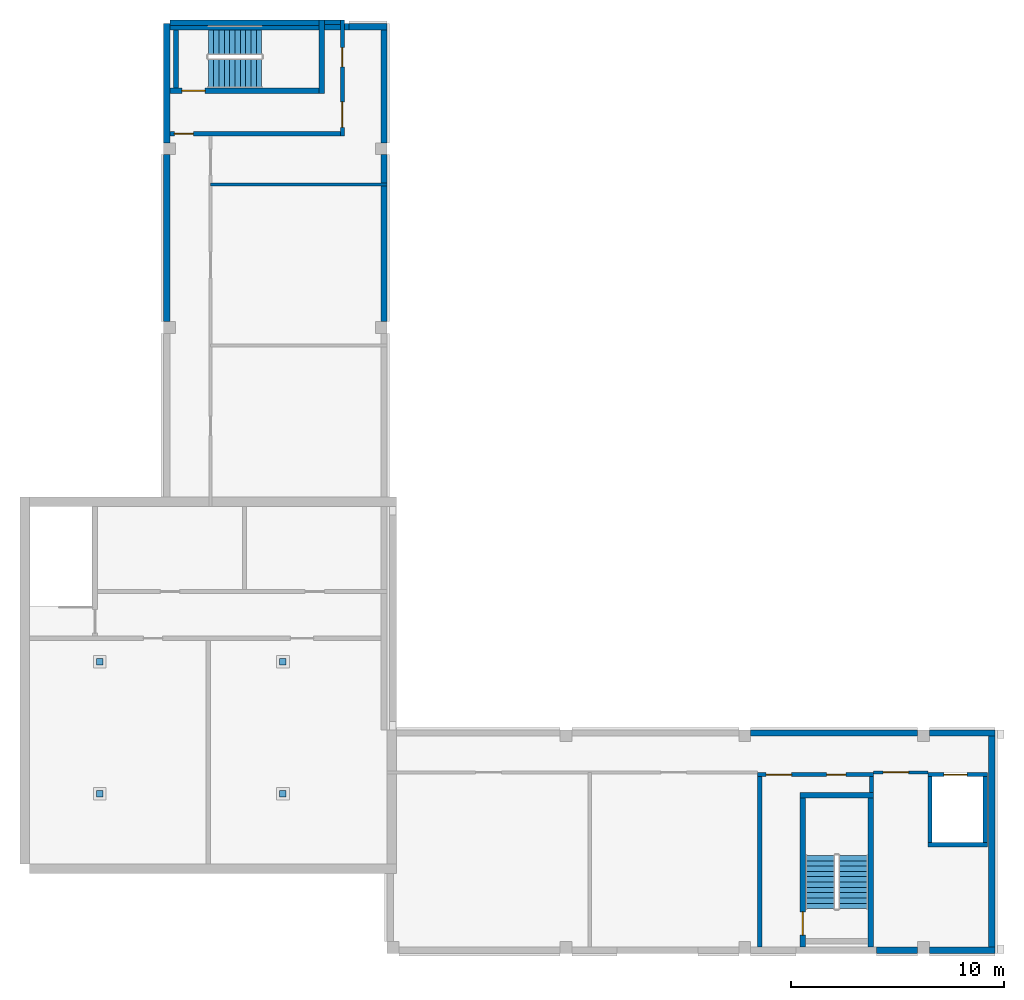
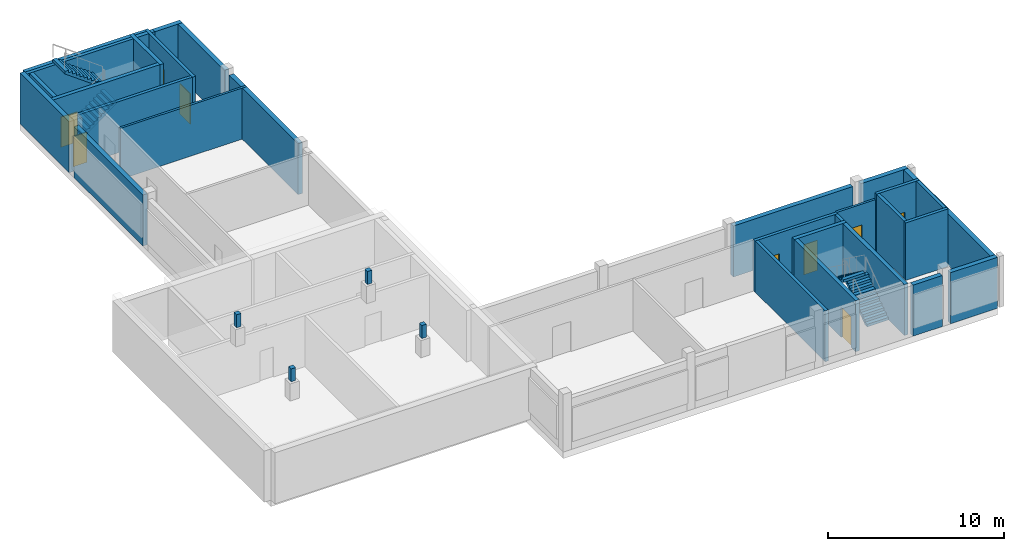
# One storey, part 2 of 5: 34 walls, 9 doors, 4 stair flights, 9 openings, 2 elements without a shape of their own.
"""IFC4 building model written with IfcOpenShell, lengths in metres."""

from ifc_helpers import new_model, si_unit, direction, frame, frame_2d, origin, origin_2d, place, context, subcontext, project, spatial, polyline, rectangle, outline, extrude, source, transform, mapped, material, layer, layer_set, type_object, element, fill, aggregate, save


model = new_model("IFC4")

# Units and contexts
model_context = context("Model", 3, precision=1e-05, world=origin(), true_north=direction((0.0, 1.0)))
body_context = subcontext(model_context, "Body", "Model", "MODEL_VIEW")
ifc_project = project(units=[si_unit("LENGTHUNIT", "METRE"), si_unit("AREAUNIT", "SQUARE_METRE"), si_unit("VOLUMEUNIT", "CUBIC_METRE"), si_unit("PLANEANGLEUNIT", "RADIAN"), si_unit("MASSUNIT", "GRAM", prefix="KILO")], contexts=[model_context])

# Site, building, storey
site_placement = place(None, origin())
site = spatial("IfcSite", under=ifc_project, at=site_placement, CompositionType="ELEMENT")
building_placement = place(site_placement, origin())
building = spatial("IfcBuilding", under=site, at=building_placement, Name="Aurelian Terraces", CompositionType="ELEMENT")
storey_placement = place(building_placement, frame((0.0, 0.0, 372.5)))
storey = spatial("IfcBuildingStorey", under=building, at=storey_placement, Name="L89", CompositionType="ELEMENT", Elevation=372.5)

# Walls
ifc_material_1 = material(Name="Concrete fc' 55 MPa", Category="concrete")
ifc_layer_1 = layer(ifc_material_1, 0.3)
ifc_layer_set_1 = layer_set([ifc_layer_1], Name="CROWN FINIAL 300 FC55")
wall_type_1 = type_object("IfcWallType", Name="CROWN FINIAL 300 FC55", PredefinedType="SOLIDWALL", material=ifc_layer_set_1)
wall_1_placement = place(storey_placement, frame((7.5, 7.5, 5.2), z_axis=(0.0, 0.0, 1.0), x_axis=(1.0, 0.0, 0.0)))
element("IfcWall", 1, at=wall_1_placement, inside=storey, type_object=wall_type_1, Name="Crown pier cap block", PredefinedType="SOLIDWALL", context=body_context, shape_type="SweptSolid", body=[
    extrude(rectangle(XDim=0.3, YDim=0.3, at=origin_2d()), origin(), (0.0, 0.0, 1.0), 0.9),
])
ifc_material_2 = material(Name="Terracotta rainscreen cladding", Category="masonry")
ifc_layer_2 = layer(ifc_material_2, 0.3)
ifc_layer_set_2 = layer_set([ifc_layer_2], Name="EW-300")
wall_type_2 = type_object("IfcWallType", Name="EW-300", PredefinedType="STANDARD", material=ifc_layer_set_2)
wall_2_placement = place(storey_placement, frame((46.475, 0.15, 0.0), z_axis=(0.0, 0.0, 1.0), x_axis=(1.0, 0.0, 0.0)))
element("IfcWall", 2, at=wall_2_placement, inside=storey, type_object=wall_type_2, Name="External wall L89 F01.8", PredefinedType="STANDARD", context=body_context, shape_type="SweptSolid", body=[
    extrude(rectangle(XDim=3.085, YDim=0.3, at=frame_2d((1.5425, 0.0))), origin(), (0.0, 0.0, 1.0), 3.55),
])
wall_3_placement = place(storey_placement, frame((49.41, 0.0, 0.0), z_axis=(0.0, 0.0, 1.0), x_axis=(0.0, 1.0, 0.0)))
element("IfcWall", 3, at=wall_3_placement, inside=storey, type_object=wall_type_2, Name="External wall L89 F02.1", PredefinedType="STANDARD", context=body_context, shape_type="SweptSolid", body=[
    extrude(rectangle(XDim=10.5, YDim=0.3, at=frame_2d((5.25, 0.0))), origin(), (0.0, 0.0, 1.0), 3.55),
])
wall_4_placement = place(storey_placement, frame((45.925, 10.35, 0.0), z_axis=(0.0, 0.0, 1.0), x_axis=(-1.0, 0.0, 0.0)))
element("IfcWall", 4, at=wall_4_placement, inside=storey, type_object=wall_type_2, Name="External wall L89 F03.2", PredefinedType="STANDARD", context=body_context, shape_type="SweptSolid", body=[
    extrude(rectangle(XDim=7.85, YDim=0.3, at=frame_2d((3.925, 0.0))), origin(), (0.0, 0.0, 1.0), 3.55),
])
wall_5_placement = place(storey_placement, frame((20.85, 38.075, 0.0), z_axis=(0.0, 0.0, 1.0), x_axis=(0.0, 1.0, 0.0)))
element("IfcWall", 5, at=wall_5_placement, inside=storey, type_object=wall_type_2, Name="External wall L89 F04.4", PredefinedType="STANDARD", context=body_context, shape_type="SweptSolid", body=[
    extrude(rectangle(XDim=5.605, YDim=0.3, at=frame_2d((2.8025, 0.0))), origin(), (0.0, 0.0, 1.0), 3.55),
])
wall_6_placement = place(storey_placement, frame((21.0, 43.53, 0.0), z_axis=(0.0, 0.0, 1.0), x_axis=(-1.0, 0.0, 0.0)))
element("IfcWall", 6, at=wall_6_placement, inside=storey, type_object=wall_type_2, Name="External wall L89 F05.1", PredefinedType="STANDARD", context=body_context, shape_type="SweptSolid", body=[
    extrude(rectangle(XDim=1.8, YDim=0.3, at=frame_2d((0.9, 0.0))), origin(), (0.0, 0.0, 1.0), 3.55),
])
ifc_material_3 = material(Name="Concrete fc' 40 MPa", Category="concrete")
ifc_layer_3 = layer(ifc_material_3, 0.3)
ifc_layer_set_3 = layer_set([ifc_layer_3], Name="STAIR BAY WALL 300")
wall_type_3 = type_object("IfcWallType", Name="STAIR BAY WALL 300", PredefinedType="SOLIDWALL", material=ifc_layer_set_3)
wall_7_placement = place(storey_placement, frame((19.2, 43.53, 0.0), z_axis=(0.0, 0.0, 1.0), x_axis=(-1.0, 0.0, 0.0)))
element("IfcWall", 7, at=wall_7_placement, inside=storey, type_object=wall_type_3, Name="Stair bay wall L89 F05.2", PredefinedType="SOLIDWALL", context=body_context, shape_type="SweptSolid", body=[
    extrude(rectangle(XDim=8.6, YDim=0.3, at=frame_2d((4.3, 0.0))), origin(), (0.0, 0.0, 1.0), 3.55),
])
wall_8_placement = place(storey_placement, frame((10.65, 43.68, 0.0), z_axis=(0.0, 0.0, 1.0), x_axis=(0.0, -1.0, 0.0)))
element("IfcWall", 8, at=wall_8_placement, inside=storey, type_object=wall_type_3, Name="Stair bay wall L89 F06.1", PredefinedType="SOLIDWALL", context=body_context, shape_type="SweptSolid", body=[
    extrude(rectangle(XDim=5.605, YDim=0.3, at=frame_2d((2.8025, 0.0))), origin(), (0.0, 0.0, 1.0), 3.55),
])
shared_shape_1 = source(origin(), body_context, "Body", "SweptSolid", [
    extrude(rectangle(XDim=0.3, YDim=0.3, at=origin_2d()), origin(), (0.0, 0.0, 1.0), 0.9),
])
for number, where, z_axis, x_axis, name in (
    (9, (16.1, 7.5, 5.2), (0.0, 0.0, 1.0), (1.0, 0.0, 0.0), "Crown pier cap block"),
    (10, (7.5, 13.7, 5.2), (0.0, 0.0, 1.0), (1.0, 0.0, 0.0), "Crown pier cap block"),
    (11, (16.1, 13.7, 5.2), (0.0, 0.0, 1.0), (1.0, 0.0, 0.0), "Crown pier cap block"),
):
    element("IfcWall", number, at=place(storey_placement, frame(where, z_axis=z_axis, x_axis=x_axis)), inside=storey, type_object=wall_type_1, Name=name, PredefinedType="SOLIDWALL", context=body_context, shape_type="MappedRepresentation", body=[
        mapped(shared_shape_1, transform((0.0, 0.0, 0.0), scale=1.0)),
    ])
shared_shape_2 = source(origin(), body_context, "Body", "SweptSolid", [
    extrude(rectangle(XDim=1.925, YDim=0.3, at=frame_2d((0.9625, 0.0))), origin(), (0.0, 0.0, 1.0), 3.55),
])
wall_9_placement = place(storey_placement, frame((44.0, 0.15, 0.0), z_axis=(0.0, 0.0, 1.0), x_axis=(1.0, 0.0, 0.0)))
element("IfcWall", 12, at=wall_9_placement, inside=storey, type_object=wall_type_2, Name="External wall L89 F01.7", PredefinedType="STANDARD", context=body_context, shape_type="MappedRepresentation", body=[
    mapped(shared_shape_2, transform((0.0, 0.0, 0.0), scale=1.0)),
])
shared_shape_3 = source(origin(), body_context, "Body", "SweptSolid", [
    extrude(rectangle(XDim=3.085, YDim=0.3, at=frame_2d((1.5425, 0.0))), origin(), (0.0, 0.0, 1.0), 3.55),
])
wall_10_placement = place(storey_placement, frame((49.56, 10.35, 0.0), z_axis=(0.0, 0.0, 1.0), x_axis=(-1.0, 0.0, 0.0)))
element("IfcWall", 13, at=wall_10_placement, inside=storey, type_object=wall_type_2, Name="External wall L89 F03.1", PredefinedType="STANDARD", context=body_context, shape_type="MappedRepresentation", body=[
    mapped(shared_shape_3, transform((0.0, 0.0, 0.0), scale=1.0)),
])
shared_shape_4 = source(origin(), body_context, "Body", "SweptSolid", [
    extrude(rectangle(XDim=7.85, YDim=0.3, at=frame_2d((3.925, 0.0))), origin(), (0.0, 0.0, 1.0), 3.55),
])
for number, where, z_axis, x_axis, name in (
    (14, (20.85, 29.675, 0.0), (0.0, 0.0, 1.0), (0.0, 1.0, 0.0), "External wall L89 F04.3"),
    (15, (10.65, 37.525, 0.0), (0.0, 0.0, 1.0), (0.0, -1.0, 0.0), "External wall L89 F06.2"),
):
    element("IfcWall", number, at=place(storey_placement, frame(where, z_axis=z_axis, x_axis=x_axis)), inside=storey, type_object=wall_type_2, Name=name, PredefinedType="STANDARD", context=body_context, shape_type="MappedRepresentation", body=[
        mapped(shared_shape_4, transform((0.0, 0.0, 0.0), scale=1.0)),
    ])
ifc_layer_4 = layer(ifc_material_3, 0.2)
ifc_layer_set_4 = layer_set([ifc_layer_4], Name="Lift shaft wall 200")
wall_type_4 = type_object("IfcWallType", Name="Lift shaft wall 200", PredefinedType="SOLIDWALL", material=ifc_layer_set_4)
shared_shape_5 = source(origin(), body_context, "Body", "SweptSolid", [
    extrude(rectangle(XDim=2.8, YDim=0.2, at=frame_2d((1.4, 0.0))), origin(), (0.0, 0.0, 1.0), 4.0),
])
wall_11_placement = place(storey_placement, frame((46.4, 5.1, 0.0), z_axis=(0.0, 0.0, 1.0), x_axis=(1.0, 0.0, 0.0)))
element("IfcWall", 16, at=wall_11_placement, inside=storey, type_object=wall_type_4, Name="L89 core wall SV-F", PredefinedType="SOLIDWALL", context=body_context, shape_type="MappedRepresentation", body=[
    mapped(shared_shape_5, transform((0.0, 0.0, 0.0), scale=1.0)),
])

# Wall, opening, door
wall_12_placement = place(storey_placement, frame((46.4, 8.4, 0.0), z_axis=(0.0, 0.0, 1.0), x_axis=(1.0, 0.0, 0.0)))
wall_12 = element("IfcWall", 17, at=wall_12_placement, inside=storey, type_object=wall_type_4, Name="L89 core wall SV-N", PredefinedType="SOLIDWALL", context=body_context, shape_type="MappedRepresentation", body=[
    mapped(shared_shape_5, transform((0.0, 0.0, 0.0), scale=1.0)),
])
shared_shape_6 = source(origin(), body_context, "Body", "SweptSolid", [
    extrude(rectangle(XDim=1.1, YDim=2.1, at=frame_2d((0.55, 1.05))), frame((0.0, 0.11, 0.0), z_axis=(0.0, -1.0, 0.0), x_axis=(1.0, 0.0, 0.0)), (0.0, 0.0, 1.0), 0.22),
])
opening_1_placement = place(wall_12_placement, frame((0.75, 0.0, 0.0)))
opening_1 = element("IfcOpeningElement", 18, at=opening_1_placement, cuts=wall_12, Name="Opening 69200", PredefinedType="OPENING", context=body_context, shape_type="MappedRepresentation", body=[
    mapped(shared_shape_6, transform((0.0, 0.0, 0.0), scale=1.0)),
])
ifc_material_4 = material(Name="Stainless steel", Category="steel")
door_type_1 = type_object("IfcDoorType", Name="Lift landing door 1100x2100", OperationType="SLIDING_TO_LEFT", PredefinedType="DOOR", material=ifc_material_4)
shared_shape_7 = source(origin(), body_context, "Body", "SweptSolid", [
    extrude(rectangle(XDim=1.1, YDim=2.1, at=frame_2d((0.55, 1.05))), frame((0.0, 0.025, 0.0), z_axis=(0.0, -1.0, 0.0), x_axis=(1.0, 0.0, 0.0)), (0.0, 0.0, 1.0), 0.05),
])
door_1_placement = place(opening_1_placement, origin())
door_1 = element("IfcDoor", 19, at=door_1_placement, inside=storey, type_object=door_type_1, Name="Lift landing door SV1 L89", OperationType="SLIDING_TO_LEFT", OverallHeight=2.1, OverallWidth=1.1, PredefinedType="DOOR", context=body_context, shape_type="MappedRepresentation", body=[
    mapped(shared_shape_7, transform((0.0, 0.0, 0.0), scale=1.0)),
])
fill(opening_1, door_1)

# Walls
shared_shape_8 = source(origin(), body_context, "Body", "SweptSolid", [
    extrude(rectangle(XDim=3.1, YDim=0.2, at=frame_2d((1.55, 0.0))), origin(), (0.0, 0.0, 1.0), 4.0),
])
for number, where, z_axis, x_axis, name in (
    (20, (46.5, 5.2, 0.0), (0.0, 0.0, 1.0), (0.0, 1.0, 0.0), "L89 core wall SV-W"),
    (21, (49.1, 5.2, 0.0), (0.0, 0.0, 1.0), (0.0, 1.0, 0.0), "L89 core wall SV-E"),
):
    element("IfcWall", number, at=place(storey_placement, frame(where, z_axis=z_axis, x_axis=x_axis)), inside=storey, type_object=wall_type_4, Name=name, PredefinedType="SOLIDWALL", context=body_context, shape_type="MappedRepresentation", body=[
        mapped(shared_shape_8, transform((0.0, 0.0, 0.0), scale=1.0)),
    ])

# Wall, opening, door
ifc_layer_5 = layer(ifc_material_3, 0.25)
ifc_layer_set_5 = layer_set([ifc_layer_5], Name="Stair enclosure wall 250")
wall_type_5 = type_object("IfcWallType", Name="Stair enclosure wall 250", PredefinedType="SOLIDWALL", material=ifc_layer_set_5)
shared_shape_9 = source(origin(), body_context, "Body", "SweptSolid", [
    extrude(rectangle(XDim=7.0, YDim=0.25, at=frame_2d((3.5, 0.0))), origin(), (0.0, 0.0, 1.0), 3.55),
])
wall_13_placement = place(storey_placement, frame((40.525, 0.3, 0.0), z_axis=(0.0, 0.0, 1.0), x_axis=(0.0, 1.0, 0.0)))
wall_13 = element("IfcWall", 22, at=wall_13_placement, inside=storey, type_object=wall_type_5, Name="L89 core wall ST-S2-W", PredefinedType="SOLIDWALL", context=body_context, shape_type="MappedRepresentation", body=[
    mapped(shared_shape_9, transform((0.0, 0.0, 0.0), scale=1.0)),
])
shared_shape_10 = source(origin(), body_context, "Body", "SweptSolid", [
    extrude(rectangle(XDim=1.1, YDim=2.1, at=frame_2d((0.55, 1.05))), frame((0.0, 0.135, 0.0), z_axis=(0.0, -1.0, 0.0), x_axis=(1.0, 0.0, 0.0)), (0.0, 0.0, 1.0), 0.27),
])
opening_2_placement = place(wall_13_placement, frame((0.55, 0.0, 0.0)))
opening_2 = element("IfcOpeningElement", 23, at=opening_2_placement, cuts=wall_13, Name="Opening 69201", PredefinedType="OPENING", context=body_context, shape_type="MappedRepresentation", body=[
    mapped(shared_shape_10, transform((0.0, 0.0, 0.0), scale=1.0)),
])
ifc_material_5 = material(Name="Steel door leaf", Category="steel")
door_type_2 = type_object("IfcDoorType", Name="Core fire door 1100x2100 right", OperationType="SINGLE_SWING_RIGHT", PredefinedType="DOOR", material=ifc_material_5)
door_2_placement = place(opening_2_placement, origin())
door_2 = element("IfcDoor", 24, at=door_2_placement, inside=storey, type_object=door_type_2, Name="Stair door 69201", OperationType="SINGLE_SWING_RIGHT", OverallHeight=2.1, OverallWidth=1.1, PredefinedType="DOOR", context=body_context, shape_type="MappedRepresentation", body=[
    mapped(shared_shape_7, transform((0.0, 0.0, 0.0), scale=1.0)),
])
fill(opening_2, door_2)

# Wall
wall_14_placement = place(storey_placement, frame((43.725, 0.3, 0.0), z_axis=(0.0, 0.0, 1.0), x_axis=(0.0, 1.0, 0.0)))
element("IfcWall", 25, at=wall_14_placement, inside=storey, type_object=wall_type_5, Name="L89 core wall ST-S2-E", PredefinedType="SOLIDWALL", context=body_context, shape_type="MappedRepresentation", body=[
    mapped(shared_shape_9, transform((0.0, 0.0, 0.0), scale=1.0)),
])

# Wall, opening, door
wall_15_placement = place(storey_placement, frame((10.8, 40.525, 0.0), z_axis=(0.0, 0.0, 1.0), x_axis=(1.0, 0.0, 0.0)))
wall_15 = element("IfcWall", 26, at=wall_15_placement, inside=storey, type_object=wall_type_5, Name="L89 core wall ST-S3U-W", PredefinedType="SOLIDWALL", context=body_context, shape_type="MappedRepresentation", body=[
    mapped(shared_shape_9, transform((0.0, 0.0, 0.0), scale=1.0)),
])
opening_3_placement = place(wall_15_placement, frame((0.55, 0.0, 0.0)))
opening_3 = element("IfcOpeningElement", 27, at=opening_3_placement, cuts=wall_15, Name="Opening 69204", PredefinedType="OPENING", context=body_context, shape_type="MappedRepresentation", body=[
    mapped(shared_shape_10, transform((0.0, 0.0, 0.0), scale=1.0)),
])
door_type_3 = type_object("IfcDoorType", Name="Core fire door 1100x2100", OperationType="SINGLE_SWING_LEFT", PredefinedType="DOOR", material=ifc_material_5)
door_3_placement = place(opening_3_placement, origin())
door_3 = element("IfcDoor", 28, at=door_3_placement, inside=storey, type_object=door_type_3, Name="Stair door 69204", OperationType="SINGLE_SWING_LEFT", OverallHeight=2.1, OverallWidth=1.1, PredefinedType="DOOR", context=body_context, shape_type="MappedRepresentation", body=[
    mapped(shared_shape_7, transform((0.0, 0.0, 0.0), scale=1.0)),
])
fill(opening_3, door_3)

# Walls
wall_16_placement = place(storey_placement, frame((10.8, 43.725, 0.0), z_axis=(0.0, 0.0, 1.0), x_axis=(1.0, 0.0, 0.0)))
element("IfcWall", 29, at=wall_16_placement, inside=storey, type_object=wall_type_5, Name="L89 core wall ST-S3U-E", PredefinedType="SOLIDWALL", context=body_context, shape_type="MappedRepresentation", body=[
    mapped(shared_shape_9, transform((0.0, 0.0, 0.0), scale=1.0)),
])
shared_shape_11 = source(origin(), body_context, "Body", "SweptSolid", [
    extrude(rectangle(XDim=3.45, YDim=0.25, at=frame_2d((1.725, 0.0))), origin(), (0.0, 0.0, 1.0), 3.55),
])
for number, where, z_axis, x_axis, name in (
    (30, (40.4, 7.425, 0.0), (0.0, 0.0, 1.0), (1.0, 0.0, 0.0), "L89 core wall ST-S2-N"),
    (31, (17.925, 40.4, 0.0), (0.0, 0.0, 1.0), (0.0, 1.0, 0.0), "L89 core wall ST-S3U-N"),
):
    element("IfcWall", number, at=place(storey_placement, frame(where, z_axis=z_axis, x_axis=x_axis)), inside=storey, type_object=wall_type_5, Name=name, PredefinedType="SOLIDWALL", context=body_context, shape_type="MappedRepresentation", body=[
        mapped(shared_shape_11, transform((0.0, 0.0, 0.0), scale=1.0)),
    ])
ifc_material_6 = material(Name="Gypsum board on steel studs", Category="steel")
ifc_layer_6 = layer(ifc_material_6, 0.2)
ifc_layer_set_6 = layer_set([ifc_layer_6], Name="Core partition 200")
wall_type_6 = type_object("IfcWallType", Name="Core partition 200", PredefinedType="PARTITIONING", material=ifc_layer_set_6)
shared_shape_12 = source(origin(), body_context, "Body", "SweptSolid", [
    extrude(rectangle(XDim=8.0, YDim=0.2, at=frame_2d((4.0, 0.0))), origin(), (0.0, 0.0, 1.0), 3.55),
])
wall_17_placement = place(storey_placement, frame((38.5, 0.3, 0.0), z_axis=(0.0, 0.0, 1.0), x_axis=(0.0, 1.0, 0.0)))
element("IfcWall", 32, at=wall_17_placement, inside=storey, type_object=wall_type_6, Name="L89 core wall ST-S2-VW", PredefinedType="PARTITIONING", context=body_context, shape_type="MappedRepresentation", body=[
    mapped(shared_shape_12, transform((0.0, 0.0, 0.0), scale=1.0)),
])

# Wall, opening, door
wall_18_placement = place(storey_placement, frame((10.8, 38.5, 0.0), z_axis=(0.0, 0.0, 1.0), x_axis=(1.0, 0.0, 0.0)))
wall_18 = element("IfcWall", 33, at=wall_18_placement, inside=storey, type_object=wall_type_6, Name="L89 core wall ST-S3U-VW", PredefinedType="PARTITIONING", context=body_context, shape_type="MappedRepresentation", body=[
    mapped(shared_shape_12, transform((0.0, 0.0, 0.0), scale=1.0)),
])
shared_shape_13 = source(origin(), body_context, "Body", "SweptSolid", [
    extrude(rectangle(XDim=0.9, YDim=2.1, at=frame_2d((0.45, 1.05))), frame((0.0, 0.11, 0.0), z_axis=(0.0, -1.0, 0.0), x_axis=(1.0, 0.0, 0.0)), (0.0, 0.0, 1.0), 0.22),
])
opening_4_placement = place(wall_18_placement, frame((0.2, 0.0, 0.0)))
opening_4 = element("IfcOpeningElement", 34, at=opening_4_placement, cuts=wall_18, Name="Opening 69205", PredefinedType="OPENING", context=body_context, shape_type="MappedRepresentation", body=[
    mapped(shared_shape_13, transform((0.0, 0.0, 0.0), scale=1.0)),
])
door_type_4 = type_object("IfcDoorType", Name="Core service door 900x2100 right", OperationType="SINGLE_SWING_RIGHT", PredefinedType="DOOR", material=ifc_material_5)
shared_shape_14 = source(origin(), body_context, "Body", "SweptSolid", [
    extrude(rectangle(XDim=0.9, YDim=2.1, at=frame_2d((0.45, 1.05))), frame((0.0, 0.025, 0.0), z_axis=(0.0, -1.0, 0.0), x_axis=(1.0, 0.0, 0.0)), (0.0, 0.0, 1.0), 0.05),
])
door_4_placement = place(opening_4_placement, origin())
door_4 = element("IfcDoor", 35, at=door_4_placement, inside=storey, type_object=door_type_4, Name="Vestibule door 69205", OperationType="SINGLE_SWING_RIGHT", OverallHeight=2.1, OverallWidth=0.9, PredefinedType="DOOR", context=body_context, shape_type="MappedRepresentation", body=[
    mapped(shared_shape_14, transform((0.0, 0.0, 0.0), scale=1.0)),
])
fill(opening_4, door_4)

# Wall, openings, doors
shared_shape_15 = source(origin(), body_context, "Body", "SweptSolid", [
    extrude(rectangle(XDim=5.45, YDim=0.2, at=frame_2d((2.725, 0.0))), origin(), (0.0, 0.0, 1.0), 3.55),
])
wall_19_placement = place(storey_placement, frame((38.4, 8.4, 0.0), z_axis=(0.0, 0.0, 1.0), x_axis=(1.0, 0.0, 0.0)))
wall_19 = element("IfcWall", 36, at=wall_19_placement, inside=storey, type_object=wall_type_6, Name="L89 core wall ST-S2-BN", PredefinedType="PARTITIONING", context=body_context, shape_type="MappedRepresentation", body=[
    mapped(shared_shape_15, transform((0.0, 0.0, 0.0), scale=1.0)),
])
shared_shape_16 = source(origin(), body_context, "Body", "SweptSolid", [
    extrude(rectangle(XDim=1.2, YDim=2.1, at=frame_2d((0.6, 1.05))), frame((0.0, 0.11, 0.0), z_axis=(0.0, -1.0, 0.0), x_axis=(1.0, 0.0, 0.0)), (0.0, 0.0, 1.0), 0.22),
])
opening_5_placement = place(wall_19_placement, frame((0.4, 0.0, 0.0)))
opening_5 = element("IfcOpeningElement", 37, at=opening_5_placement, cuts=wall_19, Name="Opening 69202", PredefinedType="OPENING", context=body_context, shape_type="MappedRepresentation", body=[
    mapped(shared_shape_16, transform((0.0, 0.0, 0.0), scale=1.0)),
])
opening_6_placement = place(wall_19_placement, frame((3.25, 0.0, 0.0)))
opening_6 = element("IfcOpeningElement", 38, at=opening_6_placement, cuts=wall_19, Name="Opening 69203", PredefinedType="OPENING", context=body_context, shape_type="MappedRepresentation", body=[
    mapped(shared_shape_13, transform((0.0, 0.0, 0.0), scale=1.0)),
])
door_type_5 = type_object("IfcDoorType", Name="Core riser door 900x2100 right", OperationType="SINGLE_SWING_RIGHT", PredefinedType="DOOR", material=ifc_material_5)
door_5_placement = place(opening_6_placement, origin())
door_5 = element("IfcDoor", 39, at=door_5_placement, inside=storey, type_object=door_type_5, Name="Riser door 69203", OperationType="SINGLE_SWING_RIGHT", OverallHeight=2.1, OverallWidth=0.9, PredefinedType="DOOR", context=body_context, shape_type="MappedRepresentation", body=[
    mapped(shared_shape_14, transform((0.0, 0.0, 0.0), scale=1.0)),
])
fill(opening_6, door_5)
door_type_6 = type_object("IfcDoorType", Name="Core fire door 1200x2100", OperationType="SINGLE_SWING_LEFT", PredefinedType="DOOR", material=ifc_material_5)
shared_shape_17 = source(origin(), body_context, "Body", "SweptSolid", [
    extrude(rectangle(XDim=1.2, YDim=2.1, at=frame_2d((0.6, 1.05))), frame((0.0, 0.025, 0.0), z_axis=(0.0, -1.0, 0.0), x_axis=(1.0, 0.0, 0.0)), (0.0, 0.0, 1.0), 0.05),
])
door_6_placement = place(opening_5_placement, origin())
door_6 = element("IfcDoor", 40, at=door_6_placement, inside=storey, type_object=door_type_6, Name="Vestibule door 69202", OperationType="SINGLE_SWING_LEFT", OverallHeight=2.1, OverallWidth=1.2, PredefinedType="DOOR", context=body_context, shape_type="MappedRepresentation", body=[
    mapped(shared_shape_17, transform((0.0, 0.0, 0.0), scale=1.0)),
])
fill(opening_5, door_6)

wall_20_placement = place(storey_placement, frame((18.9, 38.4, 0.0), z_axis=(0.0, 0.0, 1.0), x_axis=(0.0, 1.0, 0.0)))
wall_20 = element("IfcWall", 41, at=wall_20_placement, inside=storey, type_object=wall_type_6, Name="L89 core wall ST-S3U-BN", PredefinedType="PARTITIONING", context=body_context, shape_type="MappedRepresentation", body=[
    mapped(shared_shape_15, transform((0.0, 0.0, 0.0), scale=1.0)),
])
opening_7_placement = place(wall_20_placement, frame((0.4, 0.0, 0.0)))
opening_7 = element("IfcOpeningElement", 42, at=opening_7_placement, cuts=wall_20, Name="Opening 69206", PredefinedType="OPENING", context=body_context, shape_type="MappedRepresentation", body=[
    mapped(shared_shape_16, transform((0.0, 0.0, 0.0), scale=1.0)),
])
opening_8_placement = place(wall_20_placement, frame((3.25, 0.0, 0.0)))
opening_8 = element("IfcOpeningElement", 43, at=opening_8_placement, cuts=wall_20, Name="Opening 69207", PredefinedType="OPENING", context=body_context, shape_type="MappedRepresentation", body=[
    mapped(shared_shape_13, transform((0.0, 0.0, 0.0), scale=1.0)),
])
door_7_placement = place(opening_8_placement, origin())
door_7 = element("IfcDoor", 44, at=door_7_placement, inside=storey, type_object=door_type_5, Name="Riser door 69207", OperationType="SINGLE_SWING_RIGHT", OverallHeight=2.1, OverallWidth=0.9, PredefinedType="DOOR", context=body_context, shape_type="MappedRepresentation", body=[
    mapped(shared_shape_14, transform((0.0, 0.0, 0.0), scale=1.0)),
])
fill(opening_8, door_7)
door_8_placement = place(opening_7_placement, origin())
door_8 = element("IfcDoor", 45, at=door_8_placement, inside=storey, type_object=door_type_6, Name="Vestibule door 69206", OperationType="SINGLE_SWING_LEFT", OverallHeight=2.1, OverallWidth=1.2, PredefinedType="DOOR", context=body_context, shape_type="MappedRepresentation", body=[
    mapped(shared_shape_17, transform((0.0, 0.0, 0.0), scale=1.0)),
])
fill(opening_7, door_8)

# Walls
shared_shape_18 = source(origin(), body_context, "Body", "SweptSolid", [
    extrude(rectangle(XDim=0.75, YDim=0.2, at=frame_2d((0.375, 0.0))), origin(), (0.0, 0.0, 1.0), 3.55),
])
for number, where, z_axis, x_axis, name in (
    (46, (43.75, 7.55, 0.0), (0.0, 0.0, 1.0), (0.0, 1.0, 0.0), "L89 core wall ST-S2-RE"),
    (47, (18.05, 43.75, 0.0), (0.0, 0.0, 1.0), (1.0, 0.0, 0.0), "L89 core wall ST-S3U-RE"),
):
    element("IfcWall", number, at=place(storey_placement, frame(where, z_axis=z_axis, x_axis=x_axis)), inside=storey, type_object=wall_type_6, Name=name, PredefinedType="PARTITIONING", context=body_context, shape_type="MappedRepresentation", body=[
        mapped(shared_shape_18, transform((0.0, 0.0, 0.0), scale=1.0)),
    ])
shared_shape_19 = source(origin(), body_context, "Body", "SweptSolid", [
    extrude(rectangle(XDim=2.73, YDim=0.25, at=frame_2d((1.365, 0.0))), origin(), (0.0, 0.0, 1.0), 3.55),
])
wall_21_placement = place(storey_placement, frame((11.075, 40.65, 0.0), z_axis=(0.0, 0.0, 1.0), x_axis=(0.0, 1.0, 0.0)))
element("IfcWall", 48, at=wall_21_placement, inside=storey, type_object=wall_type_5, Name="L89 core wall ST-S3U-SS", PredefinedType="SOLIDWALL", context=body_context, shape_type="MappedRepresentation", body=[
    mapped(shared_shape_19, transform((0.0, 0.0, 0.0), scale=1.0)),
])

# Wall, opening, door
ifc_layer_7 = layer(ifc_material_6, 0.15)
ifc_layer_set_7 = layer_set([ifc_layer_7], Name="Special partition 150")
wall_type_7 = type_object("IfcWallType", Name="Special partition 150", PredefinedType="PARTITIONING", material=ifc_layer_set_7)
shared_shape_20 = source(origin(), body_context, "Body", "SweptSolid", [
    extrude(rectangle(XDim=2.55, YDim=0.15, at=frame_2d((1.275, 0.0))), origin(), (0.0, 0.0, 1.0), 3.55),
])
wall_22_placement = place(storey_placement, frame((43.85, 8.5, 0.0), z_axis=(0.0, 0.0, 1.0), x_axis=(1.0, 0.0, 0.0)))
wall_22 = element("IfcWall", 49, at=wall_22_placement, inside=storey, type_object=wall_type_7, Name="L89 partition W02", PredefinedType="PARTITIONING", context=body_context, shape_type="MappedRepresentation", body=[
    mapped(shared_shape_20, transform((0.0, 0.0, 0.0), scale=1.0)),
])
shared_shape_21 = source(origin(), body_context, "Body", "SweptSolid", [
    extrude(rectangle(XDim=1.2, YDim=2.1, at=frame_2d((0.6, 1.05))), frame((0.0, 0.085, 0.0), z_axis=(0.0, -1.0, 0.0), x_axis=(1.0, 0.0, 0.0)), (0.0, 0.0, 1.0), 0.17),
])
opening_9_placement = place(wall_22_placement, frame((0.45, 0.0, 0.0)))
opening_9 = element("IfcOpeningElement", 50, at=opening_9_placement, cuts=wall_22, Name="Opening 79203", PredefinedType="OPENING", context=body_context, shape_type="MappedRepresentation", body=[
    mapped(shared_shape_21, transform((0.0, 0.0, 0.0), scale=1.0)),
])
door_type_7 = type_object("IfcDoorType", Name="Special door 1200x2100 right", OperationType="SINGLE_SWING_RIGHT", PredefinedType="DOOR", material=ifc_material_5)
door_9_placement = place(opening_9_placement, origin())
door_9 = element("IfcDoor", 51, at=door_9_placement, inside=storey, type_object=door_type_7, Name="Door 79203", OperationType="SINGLE_SWING_RIGHT", OverallHeight=2.1, OverallWidth=1.2, PredefinedType="DOOR", context=body_context, shape_type="MappedRepresentation", body=[
    mapped(shared_shape_17, transform((0.0, 0.0, 0.0), scale=1.0)),
])
fill(opening_9, door_9)

# Wall
shared_shape_22 = source(origin(), body_context, "Body", "SweptSolid", [
    extrude(rectangle(XDim=8.3, YDim=0.15, at=frame_2d((4.15, 0.0))), origin(), (0.0, 0.0, 1.0), 3.55),
])
wall_23_placement = place(storey_placement, frame((12.7, 36.12, 0.0), z_axis=(0.0, 0.0, 1.0), x_axis=(1.0, 0.0, 0.0)))
element("IfcWall", 52, at=wall_23_placement, inside=storey, type_object=wall_type_7, Name="L89 partition W04", PredefinedType="PARTITIONING", context=body_context, shape_type="MappedRepresentation", body=[
    mapped(shared_shape_22, transform((0.0, 0.0, 0.0), scale=1.0)),
])

# Stair, stair flights
stair_type = type_object("IfcStairType", Name="Stair 1400", PredefinedType="HALF_TURN_STAIR", material=ifc_material_3)
stair_1_placement = place(storey_placement, origin())
stair_1 = element("IfcStair", 53, at=stair_1_placement, inside=storey, type_object=stair_type, Name="L89 S2", PredefinedType="HALF_TURN_STAIR")
stair_flight_type = type_object("IfcStairFlightType", Name="Stair flight 1400", PredefinedType="STRAIGHT", material=ifc_material_3)
shared_shape_23 = source(origin(), body_context, "Body", "SweptSolid", [
    extrude(outline(polyline([(0.0, 0.0), (0.0, 0.1818), (0.25, 0.1818), (0.25, 0.3636), (0.5, 0.3636), (0.5, 0.5455), (0.75, 0.5455), (0.75, 0.7273), (1.0, 0.7273), (1.0, 0.9091), (1.25, 0.9091), (1.25, 1.0909), (1.5, 1.0909), (1.5, 1.2727), (1.75, 1.2727), (1.75, 1.4545), (2.0, 1.4545), (2.0, 1.6364), (2.25, 1.6364), (2.25, 1.8182), (2.5, 1.8182), (2.5, 2.0), (2.5, 1.6327), (0.255, 0.0), (0.0, 0.0)])), frame((0.0, 0.7, 0.0), z_axis=(0.0, -1.0, 0.0), x_axis=(1.0, 0.0, 0.0)), (0.0, 0.0, 1.0), 1.4),
])
stair_flight_1_placement = place(storey_placement, frame((42.9, 2.1, 2e-08), z_axis=(0.0, 0.0, 1.0), x_axis=(0.0, 1.0, 0.0)))
stair_flight_1 = element("IfcStairFlight", 54, at=stair_flight_1_placement, type_object=stair_flight_type, Name="S2 flight 1", NumberOfRisers=11, NumberOfTreads=10, PredefinedType="STRAIGHT", RiserHeight=0.181818182, TreadLength=0.25, context=body_context, shape_type="MappedRepresentation", body=[
    mapped(shared_shape_23, transform((0.0, 0.0, 0.0), scale=1.0)),
])
stair_flight_2_placement = place(storey_placement, frame((41.35, 4.6, 2.00000002), z_axis=(0.0, 0.0, 1.0), x_axis=(0.0, -1.0, 0.0)))
stair_flight_2 = element("IfcStairFlight", 55, at=stair_flight_2_placement, type_object=stair_flight_type, Name="S2 flight 2", NumberOfRisers=11, NumberOfTreads=10, PredefinedType="STRAIGHT", RiserHeight=0.181818182, TreadLength=0.25, context=body_context, shape_type="MappedRepresentation", body=[
    mapped(shared_shape_23, transform((0.0, 0.0, 0.0), scale=1.0)),
])
aggregate(stair_1, [stair_flight_1, stair_flight_2])

stair_2_placement = place(storey_placement, origin())
stair_2 = element("IfcStair", 56, at=stair_2_placement, inside=storey, type_object=stair_type, Name="L89 S3U", PredefinedType="HALF_TURN_STAIR")
stair_flight_3_placement = place(storey_placement, frame((12.6, 41.35, 2e-08), z_axis=(0.0, 0.0, 1.0), x_axis=(1.0, 0.0, 0.0)))
stair_flight_3 = element("IfcStairFlight", 57, at=stair_flight_3_placement, type_object=stair_flight_type, Name="S3U flight 1", NumberOfRisers=11, NumberOfTreads=10, PredefinedType="STRAIGHT", RiserHeight=0.181818182, TreadLength=0.25, context=body_context, shape_type="MappedRepresentation", body=[
    mapped(shared_shape_23, transform((0.0, 0.0, 0.0), scale=1.0)),
])
stair_flight_4_placement = place(storey_placement, frame((15.1, 42.9, 2.00000002), z_axis=(0.0, 0.0, 1.0), x_axis=(-1.0, 0.0, 0.0)))
stair_flight_4 = element("IfcStairFlight", 58, at=stair_flight_4_placement, type_object=stair_flight_type, Name="S3U flight 2", NumberOfRisers=11, NumberOfTreads=10, PredefinedType="STRAIGHT", RiserHeight=0.181818182, TreadLength=0.25, context=body_context, shape_type="MappedRepresentation", body=[
    mapped(shared_shape_23, transform((0.0, 0.0, 0.0), scale=1.0)),
])
aggregate(stair_2, [stair_flight_3, stair_flight_4])

save(model, "model.ifc")
